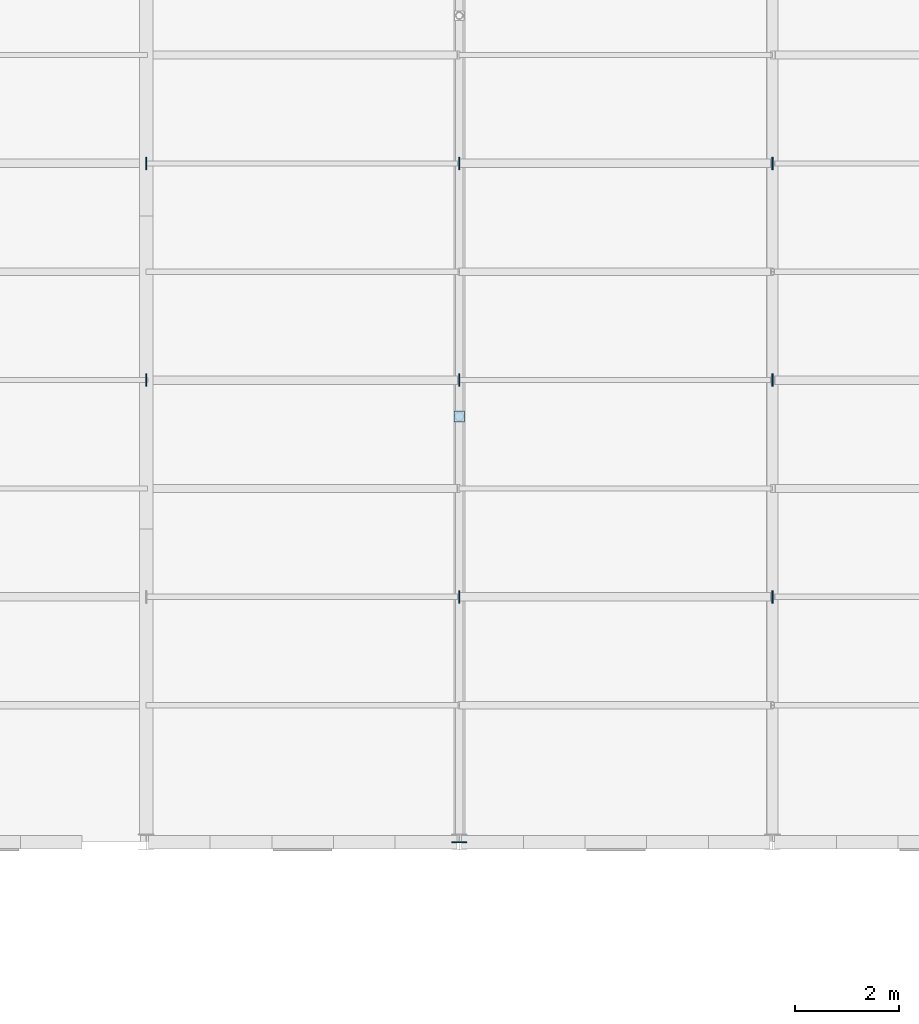
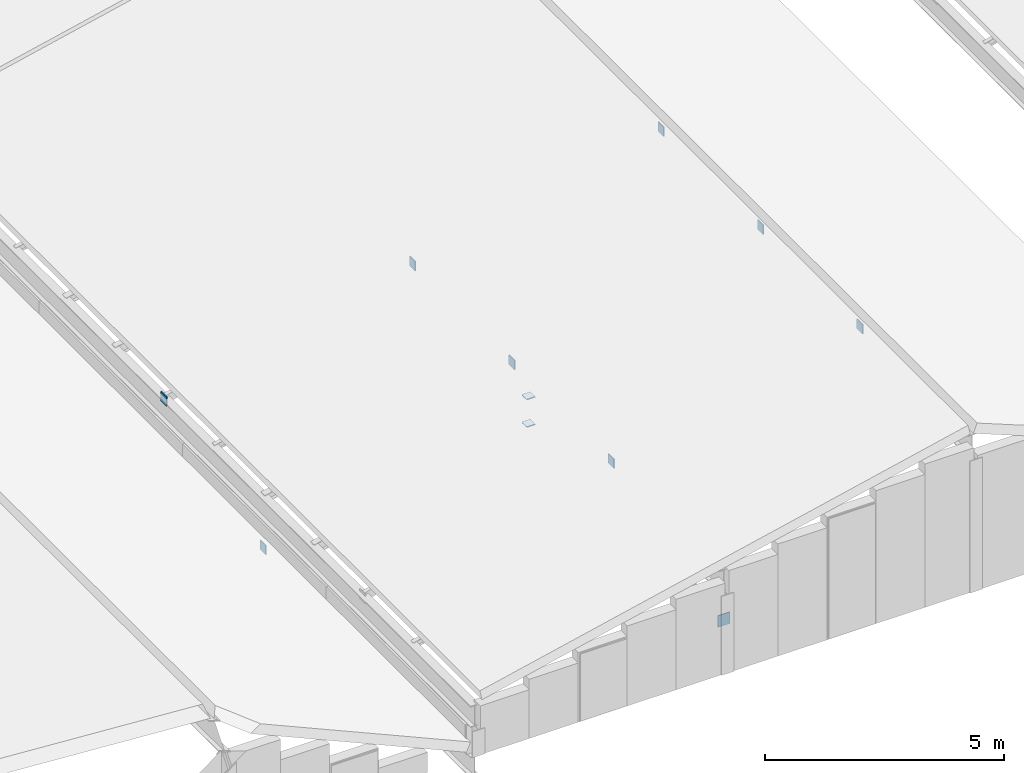
# One storey, part 42 of 74: 11 plates.
"""IFC4 building model written with IfcOpenShell, lengths in metres."""

from ifc_helpers import new_model, si_unit, direction, frame, origin, origin_2d, place, context, subcontext, project, spatial, rectangle, extrude, material, layer, layer_set, type_object, element, save


model = new_model("IFC4")

# Units and contexts
model_context = context("Model", 3, precision=1e-05, world=origin(), true_north=direction((0.0, 1.0)))
body_context = subcontext(model_context, "Body", "Model", "MODEL_VIEW")
ifc_project = project(units=[si_unit("LENGTHUNIT", "METRE"), si_unit("AREAUNIT", "SQUARE_METRE"), si_unit("VOLUMEUNIT", "CUBIC_METRE"), si_unit("PLANEANGLEUNIT", "RADIAN"), si_unit("MASSUNIT", "GRAM", prefix="KILO")], contexts=[model_context])

# Site, building, storey
site_placement = place(None, origin())
site = spatial("IfcSite", under=ifc_project, at=site_placement, CompositionType="ELEMENT")
building_placement = place(site_placement, origin())
building = spatial("IfcBuilding", under=site, at=building_placement, Name="Siltcreek Boulevard Central Fire Station", CompositionType="ELEMENT")
storey_placement = place(building_placement, frame((0.0, 0.0, 25.199951171875)))
storey = spatial("IfcBuildingStorey", under=building, at=storey_placement, Name="RF", CompositionType="ELEMENT", Elevation=25.199951171875)

# Plates
ifc_material = material(Name="Structural steel ASTM A572 Gr50", Category="steel")
ifc_layer = layer(ifc_material, 0.02490234375, Name="Structural steel ASTM A572 Gr50")
ifc_layer_set = layer_set([ifc_layer], Name="Structural steel ASTM A572 Gr50")
plate_type = type_object("IfcPlateType", Name="PL_CAP25", PredefinedType="USERDEFINED", material=ifc_layer_set)
plate_1_placement = place(storey_placement, frame((19.799560546875, 26.85546875, -15.46630859375), z_axis=(0.0, 0.0, 1.0), x_axis=(1.0, 0.0, 0.0)))
element("IfcPlate", 1, at=plate_1_placement, inside=storey, type_object=plate_type, Name="Sloped roof purlin PR-0207 sealed end cap 2", ObjectType="END CAP", PredefinedType="USERDEFINED", context=body_context, shape_type="SweptSolid", body=[
    extrude(rectangle(XDim=0.02490234375, YDim=0.239990234375, at=origin_2d()), origin(), (0.0, 0.0, 1.0), 0.239990234375),
])
plate_2_placement = place(storey_placement, frame((25.800048828125, 17.99951171875, -14.056396484375), z_axis=(0.0, 0.0, 1.0), x_axis=(0.0, 1.0, 0.0)))
element("IfcPlate", 2, at=plate_2_placement, inside=storey, type_object=plate_type, Name="Roof truss bottom chord CH-005 sealed end cap 1", ObjectType="END CAP", PredefinedType="USERDEFINED", context=body_context, shape_type="SweptSolid", body=[
    extrude(rectangle(XDim=0.02490234375, YDim=0.2900390625, at=origin_2d()), origin(), (0.0, 0.0, 1.0), 0.2900390625),
])
for number, where, z_axis, x_axis, name in (
    (3, (25.800048828125, 26.159912109375, -13.87451171875), (0.0, 0.0, 1.0), (1.0, 0.0, 0.0), "Roof truss web strut BR-050 sealed end cap 1"),
    (4, (25.800048828125, 26.159912109375, -13.17333984375), (0.0, 0.0, 1.0), (1.0, 0.0, 0.0), "Roof truss web strut BR-050 sealed end cap 2"),
):
    element("IfcPlate", number, at=place(storey_placement, frame(where, z_axis=z_axis, x_axis=x_axis)), inside=storey, type_object=plate_type, Name=name, ObjectType="END CAP", PredefinedType="USERDEFINED", context=body_context, shape_type="SweptSolid", body=[
        extrude(rectangle(XDim=0.208251953125, YDim=0.208251953125, at=origin_2d()), origin(), (0.0, 0.0, 1.0), 0.02490234375),
    ])
for number, where, z_axis, x_axis, name in (
    (5, (25.80029296875, 22.70263671875, -12.8427734375), (0.0, 0.0, 1.0), (1.0, 0.0, 0.0), "Sloped roof purlin PR-0227 sealed end cap 2"),
    (6, (19.7998046875, 31.00830078125, -14.19287109375), (0.0, 0.0, 1.0), (1.0, 0.0, 0.0), "Sloped roof purlin PR-0231 sealed end cap 1"),
    (7, (25.80029296875, 31.00830078125, -12.8427734375), (0.0, 0.0, 1.0), (1.0, 0.0, 0.0), "Sloped roof purlin PR-0231 sealed end cap 2"),
    (8, (25.7998046875, 26.85546875, -12.8427734375), (0.0, 0.0, 1.0), (1.0, 0.0, 0.0), "Sloped roof purlin PR-0239 sealed end cap 1"),
    (9, (31.80029296875, 26.85546875, -11.49267578125), (0.0, 0.0, 1.0), (1.0, 0.0, 0.0), "Sloped roof purlin PR-0239 sealed end cap 2"),
    (10, (31.80029296875, 22.70263671875, -11.51123046875), (0.0, 0.0, 1.0), (1.0, 0.0, 0.0), "Sloped roof purlin PR-0247 sealed end cap 1"),
    (11, (31.80029296875, 31.00830078125, -11.51123046875), (0.0, 0.0, 1.0), (1.0, 0.0, 0.0), "Sloped roof purlin PR-0251 sealed end cap 1"),
):
    element("IfcPlate", number, at=place(storey_placement, frame(where, z_axis=z_axis, x_axis=x_axis)), inside=storey, type_object=plate_type, Name=name, ObjectType="END CAP", PredefinedType="USERDEFINED", context=body_context, shape_type="SweptSolid", body=[
        extrude(rectangle(XDim=0.02490234375, YDim=0.239990234375, at=origin_2d()), origin(), (0.0, 0.0, 1.0), 0.239990234375),
    ])

save(model, "model.ifc")
